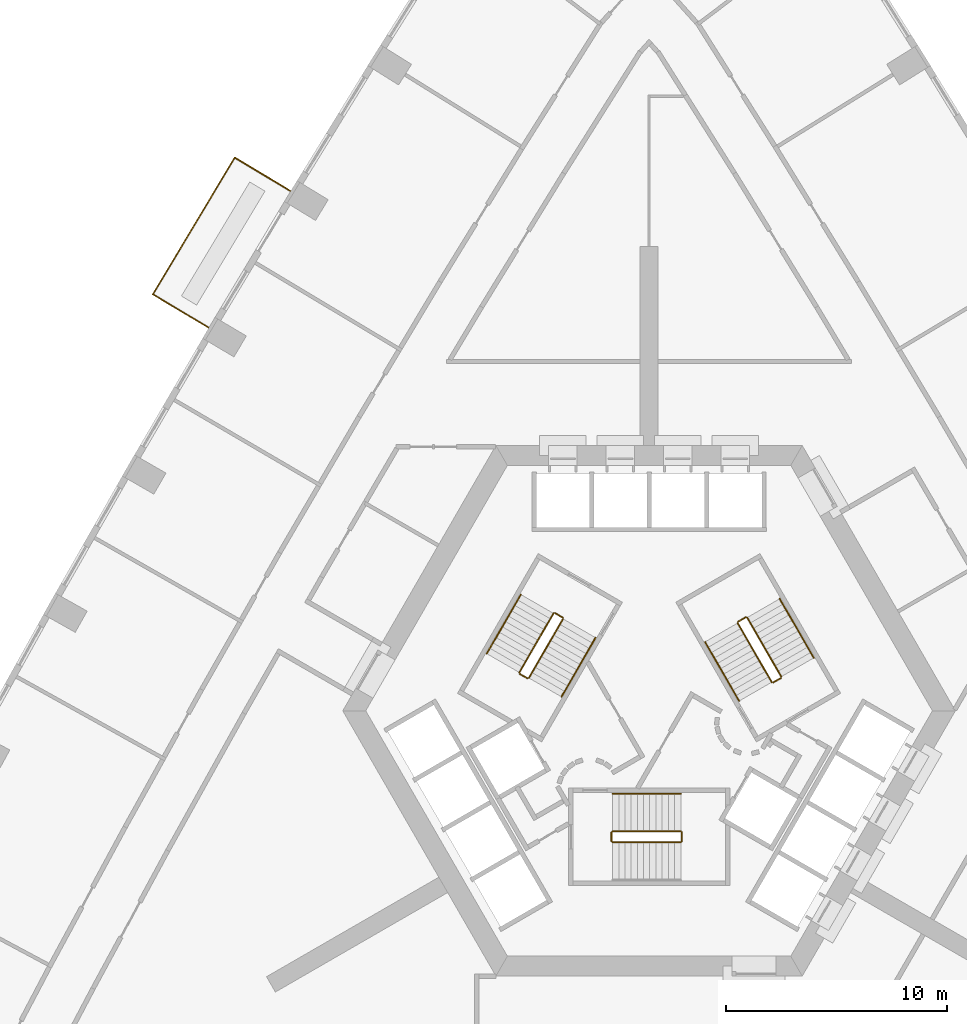
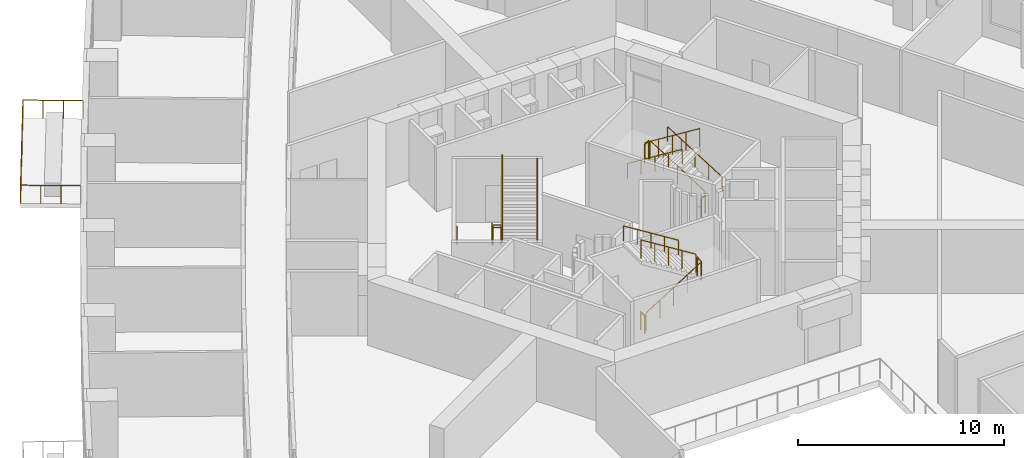
# One storey, part 14 of 15: 18 railings.
"""IFC4 building model written with IfcOpenShell, lengths in metres."""

import ifcopenshell
import ifcopenshell.guid

model = None  # the IFC model being written
_history = None  # IfcOwnerHistory: only IFC2X3 demands one
_inside = {}  # id of a spatial element -> (the spatial element, [elements in it])
_under = {}  # id of a project, library or spatial element -> (it, [spatial elements below it])
_declared = {}  # id of a project -> (the project, [libraries it declares])
_typed = {}  # id of a type object -> (the type object, [elements of that type])
_made_of = {}  # id of a material, layer set ... -> (it, [elements and type objects made of it])


def new_model(schema):
    """Start an empty IFC model of exactly this schema.

    Asked for "IFC4X3", IfcOpenShell would pick the latest addendum, in which some entities
    have other attributes; the version numbers below select the first issue.
    IFC2X3 requires an IfcOwnerHistory on every rooted entity: one is made here for all.
    """
    global model, _history
    if schema == "IFC4X3":
        model = ifcopenshell.file(schema_version=(4, 3, 0, 0))
    else:
        model = ifcopenshell.file(schema=schema)
    _inside.clear()
    _under.clear()
    _declared.clear()
    _typed.clear()
    _made_of.clear()
    _history = None
    if model.schema == "IFC2X3":
        org = make("IfcOrganization", Name="unknown")
        user = make(
            "IfcPersonAndOrganization",
            ThePerson=make("IfcPerson", FamilyName="unknown"),
            TheOrganization=org,
        )
        app = make(
            "IfcApplication",
            ApplicationDeveloper=org,
            Version="unknown",
            ApplicationFullName="unknown",
            ApplicationIdentifier="unknown",
        )
        _history = make(
            "IfcOwnerHistory",
            OwningUser=user,
            OwningApplication=app,
            ChangeAction="ADDED",
            CreationDate=0,
        )
    return model


def make(cls, **values):
    """One entity of the class cls with the attributes given. An attribute that is None is left unset."""
    return model.create_entity(
        cls, **{name: value for name, value in values.items() if value is not None}
    )


def rooted(cls, **values):
    """An entity with a GlobalId (a new one), such as an element, a storey or a relation."""
    return make(cls, GlobalId=ifcopenshell.guid.new(), OwnerHistory=_history, **values)


def si_unit(unit_type, name, prefix=None):
    """IfcSIUnit, for example si_unit("LENGTHUNIT", "METRE", prefix="MILLI")."""
    return make("IfcSIUnit", UnitType=unit_type, Prefix=prefix, Name=name)


def assignment(units):
    """IfcUnitAssignment: the units of a project."""
    return None if units is None else make("IfcUnitAssignment", Units=units)


def point(xyz):
    """IfcCartesianPoint."""
    return None if xyz is None else make("IfcCartesianPoint", Coordinates=xyz)


def direction(xyz):
    """IfcDirection."""
    return None if xyz is None else make("IfcDirection", DirectionRatios=xyz)


def frame(location, z_axis=None, x_axis=None):
    """IfcAxis2Placement3D, a coordinate frame: its origin and axes. An axis left out is left unset."""
    return make(
        "IfcAxis2Placement3D",
        Location=point(location),
        Axis=direction(z_axis),
        RefDirection=direction(x_axis),
    )


def frame_2d(location, x_axis=None):
    """IfcAxis2Placement2D, a coordinate frame in the plane: its origin and x axis."""
    return make(
        "IfcAxis2Placement2D", Location=point(location), RefDirection=direction(x_axis)
    )


def origin():
    """The frame at (0, 0, 0) with its axes left unset."""
    return frame((0.0, 0.0, 0.0))


def origin_2d():
    """The frame at (0, 0) in the plane with its x axis left unset."""
    return frame_2d((0.0, 0.0))


def place(relative_to, where):
    """IfcLocalPlacement: puts the frame where relative to a parent placement (None: the world)."""
    return make(
        "IfcLocalPlacement", PlacementRelTo=relative_to, RelativePlacement=where
    )


def context(
    kind, dimensions, precision=None, world=None, true_north=None, identifier=None
):
    """IfcGeometricRepresentationContext, for example the 3D "Model" context."""
    return make(
        "IfcGeometricRepresentationContext",
        ContextIdentifier=identifier,
        ContextType=kind,
        CoordinateSpaceDimension=dimensions,
        Precision=precision,
        WorldCoordinateSystem=world,
        TrueNorth=true_north,
    )


def subcontext(parent, identifier, kind, view, scale=None):
    """IfcGeometricRepresentationSubContext, for example "Body" below "Model"."""
    return make(
        "IfcGeometricRepresentationSubContext",
        ContextIdentifier=identifier,
        ContextType=kind,
        ParentContext=parent,
        TargetScale=scale,
        TargetView=view,
    )


def project(units=None, contexts=None):
    """IfcProject with its units and contexts."""
    return rooted(
        "IfcProject",
        Name="project",
        RepresentationContexts=contexts,
        UnitsInContext=assignment(units),
    )


def spatial(cls, under=None, at=None, **own):
    """A site, building, storey or space (cls), placed at a placement, below another one or the project."""
    s = rooted(cls, ObjectPlacement=at, **own)
    if under is not None:
        _under.setdefault(under.id(), (under, []))[1].append(s)
    return s


def profile(cls, at=None, kind="AREA", **sizes):
    """A parametric profile (cls). Its sizes go by their IFC names, for example OverallWidth=200.0."""
    return make(cls, ProfileType=kind, Position=at, **sizes)


def circle(**sizes):
    """IfcCircleProfileDef."""
    return profile("IfcCircleProfileDef", **sizes)


def extrude(swept, where, along, depth):
    """IfcExtrudedAreaSolid: the profile swept, set in the frame where, extruded along a direction by depth."""
    return make(
        "IfcExtrudedAreaSolid",
        SweptArea=swept,
        Position=where,
        ExtrudedDirection=direction(along),
        Depth=depth,
    )


def shape(context_of_items, identifier, shape_type, items):
    """IfcShapeRepresentation: the items that make up one representation, for example the "Body"."""
    return make(
        "IfcShapeRepresentation",
        ContextOfItems=context_of_items,
        RepresentationIdentifier=identifier,
        RepresentationType=shape_type,
        Items=items,
    )


def material(Name=None, Category=None):
    """IfcMaterial."""
    return make("IfcMaterial", Name=Name, Category=Category)


def made_of(thing, what):
    """Note that an element or type object is made of a material, layer set ...; save() writes the relation."""
    if what is not None:
        _made_of.setdefault(what.id(), (what, []))[1].append(thing)
    return thing


def type_object(cls, material=None, **own):
    """A type object (cls), such as IfcWallType, which elements share."""
    return made_of(rooted(cls, **own), material)


def element(
    cls,
    number,
    at=None,
    inside=None,
    cuts=None,
    type_object=None,
    material=None,
    context=None,
    identifier="Body",
    shape_type=None,
    held_by="IfcProductDefinitionShape",
    body=None,
    shapes=None,
    **own,
):
    """One element of the class cls, such as IfcWall. Its Tag is "e" and its number.

    at: its placement. inside: the storey or other place that contains it. cuts: it is an
    opening in that element (IfcRelVoidsElement). A single representation is given by context,
    identifier, shape_type and body (its items); several are given by shapes. held_by: the class
    of the entity that holds the representations. save() writes the other relations.
    """
    e = rooted(cls, Tag="e%d" % number, ObjectPlacement=at, **own)
    if body is not None:
        shapes = [shape(context, identifier, shape_type, body)]
    if shapes is not None:
        e.Representation = make(held_by, Representations=shapes)
    if inside is not None:
        _inside.setdefault(inside.id(), (inside, []))[1].append(e)
    if cuts is not None:
        rooted(
            "IfcRelVoidsElement", RelatingBuildingElement=cuts, RelatedOpeningElement=e
        )
    if type_object is not None:
        _typed.setdefault(type_object.id(), (type_object, []))[1].append(e)
    return made_of(e, material)


def aggregate(whole, parts):
    """IfcRelAggregates: a whole, such as a stair, and the parts it consists of."""
    return rooted("IfcRelAggregates", RelatingObject=whole, RelatedObjects=parts)


def save(model, path):
    """Write the relations noted so far, then the file.

    IfcRelAggregates (storeys below a building ...), IfcRelContainedInSpatialStructure (elements
    in a storey), IfcRelDefinesByType, IfcRelAssociatesMaterial and IfcRelDeclares: one each for
    every whole, place, type object, material and project.
    """
    for whole, parts in _under.values():
        aggregate(whole, parts)
    for where, things in _inside.values():
        rooted(
            "IfcRelContainedInSpatialStructure",
            RelatedElements=things,
            RelatingStructure=where,
        )
    for kind, things in _typed.values():
        rooted("IfcRelDefinesByType", RelatedObjects=things, RelatingType=kind)
    for what, things in _made_of.values():
        rooted("IfcRelAssociatesMaterial", RelatedObjects=things, RelatingMaterial=what)
    for by, libraries in _declared.values():
        rooted("IfcRelDeclares", RelatingContext=by, RelatedDefinitions=libraries)
    model.write(path)


model = new_model("IFC4")

# Units and contexts
model_context = context("Model", 3, precision=1e-05, world=origin(), true_north=direction((0.0, 1.0)))
body_context = subcontext(model_context, "Body", "Model", "MODEL_VIEW")
ifc_project = project(units=[si_unit("LENGTHUNIT", "METRE"), si_unit("AREAUNIT", "SQUARE_METRE"), si_unit("VOLUMEUNIT", "CUBIC_METRE"), si_unit("PLANEANGLEUNIT", "RADIAN"), si_unit("MASSUNIT", "GRAM", prefix="KILO")], contexts=[model_context])

# Site, building, storey
site_placement = place(None, origin())
site = spatial("IfcSite", under=ifc_project, at=site_placement, CompositionType="ELEMENT")
building_placement = place(site_placement, origin())
building = spatial("IfcBuilding", under=site, at=building_placement, Name="Entoto Arch Interchange Tower", CompositionType="ELEMENT")
storey_placement = place(building_placement, frame((0.0, 0.0, 120.199951171875)))
storey = spatial("IfcBuildingStorey", under=building, at=storey_placement, Name="L26", CompositionType="ELEMENT", Elevation=120.199951171875)

# Railings
ifc_material = material(Name="Stainless steel 1.4301", Category="steel")
railing_type_1 = type_object("IfcRailingType", Name="GUARD 1100 STEEL AND GLASS", PredefinedType="GUARDRAIL", material=ifc_material)
railing_1_placement = place(storey_placement, frame((-16.2109375, 26.007080078125, 0.0)))
element("IfcRailing", 1, at=railing_1_placement, inside=storey, type_object=railing_type_1, Name="Balcony guard NW-03 L26", PredefinedType="GUARDRAIL", context=body_context, shape_type="SweptSolid", body=[
    extrude(circle(Radius=0.02392578125, at=origin_2d()), frame((0.0, 0.0, 1.076171875), z_axis=(-0.857814126492, 0.513960041628, 0.0), x_axis=(-0.513960041628, -0.857814126492, 0.0)), (0.0, 0.0, 1.0), 2.949462890625),
    extrude(circle(Radius=0.02392578125, at=origin_2d()), frame((-2.530029296875, 1.515869140625, 1.076171875), z_axis=(-0.514062423934, -0.857752775746, 0.0), x_axis=(0.857752775746, -0.514062423934, 0.0)), (0.0, 0.0, 1.0), 7.209228515625),
    extrude(circle(Radius=0.02392578125, at=origin_2d()), frame((-6.236083984375, -4.66796875, 1.076171875), z_axis=(0.857777631145, -0.51402094851, 0.0), x_axis=(0.51402094851, 0.857777631145, 0.0)), (0.0, 0.0, 1.0), 2.949462890625),
    extrude(circle(Radius=0.02099609375, at=origin_2d()), origin(), (0.0, 0.0, 1.0), 1.052001953125),
    extrude(circle(Radius=0.02099609375, at=origin_2d()), frame((-0.84326171875, 0.50537109375, 0.0)), (0.0, 0.0, 1.0), 1.052001953125),
    extrude(circle(Radius=0.02099609375, at=origin_2d()), frame((-1.686767578125, 1.010498046875, 0.0)), (0.0, 0.0, 1.0), 1.052001953125),
    extrude(circle(Radius=0.02099609375, at=origin_2d()), frame((-2.530029296875, 1.515869140625, 0.0)), (0.0, 0.0, 1.0), 1.052001953125),
    extrude(circle(Radius=0.02099609375, at=origin_2d()), frame((-3.0595703125, 0.632568359375, 0.0)), (0.0, 0.0, 1.0), 1.052001953125),
    extrude(circle(Radius=0.02099609375, at=origin_2d()), frame((-3.5888671875, -0.2509765625, 0.0)), (0.0, 0.0, 1.0), 1.052001953125),
    extrude(circle(Radius=0.02099609375, at=origin_2d()), frame((-4.118408203125, -1.13427734375, 0.0)), (0.0, 0.0, 1.0), 1.052001953125),
    extrude(circle(Radius=0.02099609375, at=origin_2d()), frame((-4.647705078125, -2.017822265625, 0.0)), (0.0, 0.0, 1.0), 1.052001953125),
    extrude(circle(Radius=0.02099609375, at=origin_2d()), frame((-5.17724609375, -2.901123046875, 0.0)), (0.0, 0.0, 1.0), 1.052001953125),
    extrude(circle(Radius=0.02099609375, at=origin_2d()), frame((-5.70654296875, -3.78466796875, 0.0)), (0.0, 0.0, 1.0), 1.052001953125),
    extrude(circle(Radius=0.02099609375, at=origin_2d()), frame((-6.236083984375, -4.66796875, 0.0)), (0.0, 0.0, 1.0), 1.052001953125),
    extrude(circle(Radius=0.02099609375, at=origin_2d()), frame((-5.392822265625, -5.17333984375, 0.0)), (0.0, 0.0, 1.0), 1.052001953125),
    extrude(circle(Radius=0.02099609375, at=origin_2d()), frame((-4.54931640625, -5.6787109375, 0.0)), (0.0, 0.0, 1.0), 1.052001953125),
    extrude(circle(Radius=0.02099609375, at=origin_2d()), frame((-3.7060546875, -6.18408203125, 0.0)), (0.0, 0.0, 1.0), 1.052001953125),
])
railing_type_2 = type_object("IfcRailingType", Name="STAIR GUARD 1100 STEEL", PredefinedType="GUARDRAIL", material=ifc_material)
railing_2_placement = place(storey_placement, frame((-1.64990234375, -3.449951171875, 0.175048828125)))
element("IfcRailing", 2, at=railing_2_placement, inside=storey, type_object=railing_type_2, Name="L26 ST-S stair guard 1", PredefinedType="GUARDRAIL", context=body_context, shape_type="SweptSolid", body=[
    extrude(circle(Radius=0.02392578125, at=origin_2d()), frame((0.0, 0.0, 1.076171875), z_axis=(0.847979421464, 0.0, 0.530029150871), x_axis=(0.0, 1.0, 0.0)), (0.0, 0.0, 1.0), 3.632080078125),
    extrude(circle(Radius=0.02099609375, at=origin_2d()), origin(), (0.0, 0.0, 1.0), 1.052001953125),
    extrude(circle(Radius=0.02099609375, at=origin_2d()), frame((0.77001953125, 0.0, 0.481201171875)), (0.0, 0.0, 1.0), 1.052001953125),
    extrude(circle(Radius=0.02099609375, at=origin_2d()), frame((1.5400390625, 0.0, 0.96240234375)), (0.0, 0.0, 1.0), 1.052001953125),
    extrude(circle(Radius=0.02099609375, at=origin_2d()), frame((2.309814453125, 0.0, 1.44384765625)), (0.0, 0.0, 1.0), 1.052001953125),
    extrude(circle(Radius=0.02099609375, at=origin_2d()), frame((3.079833984375, 0.0, 1.925048828125)), (0.0, 0.0, 1.0), 1.052001953125),
])
railing_3_placement = place(storey_placement, frame((1.47998046875, -3.39990234375, 2.10009765625)))
element("IfcRailing", 3, at=railing_3_placement, inside=storey, type_object=railing_type_2, Name="L26 ST-S stair guard 2", PredefinedType="GUARDRAIL", context=body_context, shape_type="SweptSolid", body=[
    extrude(circle(Radius=0.02392578125, at=origin_2d()), frame((0.0, 0.0, 1.076171875), z_axis=(0.0, 1.0, 0.0), x_axis=(-1.0, 0.0, 0.0)), (0.0, 0.0, 1.0), 0.39990234375),
    extrude(circle(Radius=0.02099609375, at=origin_2d()), origin(), (0.0, 0.0, 1.0), 1.052001953125),
    extrude(circle(Radius=0.02099609375, at=origin_2d()), frame((0.0, 0.39990234375, 0.0)), (0.0, 0.0, 1.0), 1.052001953125),
])
railing_4_placement = place(storey_placement, frame((1.429931640625, -2.949951171875, 2.275146484375)))
element("IfcRailing", 4, at=railing_4_placement, inside=storey, type_object=railing_type_2, Name="L26 ST-S stair guard 3", PredefinedType="GUARDRAIL", context=body_context, shape_type="SweptSolid", body=[
    extrude(circle(Radius=0.02392578125, at=origin_2d()), frame((0.0, 0.0, 1.076171875), z_axis=(-0.848009633417, 0.0, 0.529980812513), x_axis=(0.0, -1.0, 0.0)), (0.0, 0.0, 1.0), 3.6318359375),
    extrude(circle(Radius=0.02099609375, at=origin_2d()), origin(), (0.0, 0.0, 1.0), 1.052001953125),
    extrude(circle(Radius=0.02099609375, at=origin_2d()), frame((-0.77001953125, 0.0, 0.481201171875)), (0.0, 0.0, 1.0), 1.052001953125),
    extrude(circle(Radius=0.02099609375, at=origin_2d()), frame((-1.5400390625, 0.0, 0.96240234375)), (0.0, 0.0, 1.0), 1.052001953125),
    extrude(circle(Radius=0.02099609375, at=origin_2d()), frame((-2.309814453125, 0.0, 1.443603515625)), (0.0, 0.0, 1.0), 1.052001953125),
    extrude(circle(Radius=0.02099609375, at=origin_2d()), frame((-3.079833984375, 0.0, 1.9248046875)), (0.0, 0.0, 1.0), 1.052001953125),
])
railing_5_placement = place(storey_placement, frame((-1.699951171875, -3.39990234375, 0.0)))
element("IfcRailing", 5, at=railing_5_placement, inside=storey, type_object=railing_type_2, Name="L26 ST-S stair guard 4", PredefinedType="GUARDRAIL", context=body_context, shape_type="SweptSolid", body=[
    extrude(circle(Radius=0.02392578125, at=origin_2d()), frame((0.0, 0.0, 1.076171875), z_axis=(0.0, 1.0, 0.0), x_axis=(-1.0, 0.0, 0.0)), (0.0, 0.0, 1.0), 0.39990234375),
    extrude(circle(Radius=0.02099609375, at=origin_2d()), origin(), (0.0, 0.0, 1.0), 1.052001953125),
    extrude(circle(Radius=0.02099609375, at=origin_2d()), frame((0.0, 0.39990234375, 0.0)), (0.0, 0.0, 1.0), 1.052001953125),
])
railing_6_placement = place(storey_placement, frame((5.977783203125, 4.046142578125, 0.175048828125)))
element("IfcRailing", 6, at=railing_6_placement, inside=storey, type_object=railing_type_2, Name="L26 ST-NE stair guard 1", PredefinedType="GUARDRAIL", context=body_context, shape_type="SweptSolid", body=[
    extrude(circle(Radius=0.02392578125, at=origin_2d()), frame((0.0, 0.0, 1.076171875), z_axis=(-0.424015404183, 0.734364028329, 0.530019255228), x_axis=(-0.866010015463, -0.500026652407, 0.0)), (0.0, 0.0, 1.0), 3.632080078125),
    extrude(circle(Radius=0.02099609375, at=origin_2d()), origin(), (0.0, 0.0, 1.0), 1.052001953125),
    extrude(circle(Radius=0.02099609375, at=origin_2d()), frame((-0.385009765625, 0.666748046875, 0.481201171875)), (0.0, 0.0, 1.0), 1.052001953125),
    extrude(circle(Radius=0.02099609375, at=origin_2d()), frame((-0.77001953125, 1.33349609375, 0.96240234375)), (0.0, 0.0, 1.0), 1.052001953125),
    extrude(circle(Radius=0.02099609375, at=origin_2d()), frame((-1.155029296875, 2.00048828125, 1.44384765625)), (0.0, 0.0, 1.0), 1.052001953125),
    extrude(circle(Radius=0.02099609375, at=origin_2d()), frame((-1.5400390625, 2.667236328125, 1.925048828125)), (0.0, 0.0, 1.0), 1.052001953125),
])
railing_7_placement = place(storey_placement, frame((4.36962890625, 6.731689453125, 2.10009765625)))
element("IfcRailing", 7, at=railing_7_placement, inside=storey, type_object=railing_type_2, Name="L26 ST-NE stair guard 2", PredefinedType="GUARDRAIL", context=body_context, shape_type="SweptSolid", body=[
    extrude(circle(Radius=0.02392578125, at=origin_2d()), frame((0.0, 0.0, 1.076171875), z_axis=(-0.866094119867, -0.499880961361, 0.0), x_axis=(0.499880961361, -0.866094119867, 0.0)), (0.0, 0.0, 1.0), 0.39990234375),
    extrude(circle(Radius=0.02099609375, at=origin_2d()), origin(), (0.0, 0.0, 1.0), 1.052001953125),
    extrude(circle(Radius=0.02099609375, at=origin_2d()), frame((-0.346435546875, -0.199951171875, 0.0)), (0.0, 0.0, 1.0), 1.052001953125),
])
railing_8_placement = place(storey_placement, frame((4.0048828125, 6.46337890625, 2.275146484375)))
element("IfcRailing", 8, at=railing_8_placement, inside=storey, type_object=railing_type_2, Name="L26 ST-NE stair guard 3", PredefinedType="GUARDRAIL", context=body_context, shape_type="SweptSolid", body=[
    extrude(circle(Radius=0.02392578125, at=origin_2d()), frame((0.0, 0.0, 1.076171875), z_axis=(0.42403051051, -0.734390191396, 0.529970917068), x_axis=(0.866010015463, 0.500026652407, 0.0)), (0.0, 0.0, 1.0), 3.6318359375),
    extrude(circle(Radius=0.02099609375, at=origin_2d()), origin(), (0.0, 0.0, 1.0), 1.052001953125),
    extrude(circle(Radius=0.02099609375, at=origin_2d()), frame((0.385009765625, -0.666748046875, 0.481201171875)), (0.0, 0.0, 1.0), 1.052001953125),
    extrude(circle(Radius=0.02099609375, at=origin_2d()), frame((0.77001953125, -1.33349609375, 0.96240234375)), (0.0, 0.0, 1.0), 1.052001953125),
    extrude(circle(Radius=0.02099609375, at=origin_2d()), frame((1.155029296875, -2.00048828125, 1.443603515625)), (0.0, 0.0, 1.0), 1.052001953125),
    extrude(circle(Radius=0.02099609375, at=origin_2d()), frame((1.5400390625, -2.667236328125, 1.9248046875)), (0.0, 0.0, 1.0), 1.052001953125),
])
railing_9_placement = place(storey_placement, frame((5.95947265625, 3.977783203125, 0.0)))
element("IfcRailing", 9, at=railing_9_placement, inside=storey, type_object=railing_type_2, Name="L26 ST-NE stair guard 4", PredefinedType="GUARDRAIL", context=body_context, shape_type="SweptSolid", body=[
    extrude(circle(Radius=0.02392578125, at=origin_2d()), frame((0.0, 0.0, 1.076171875), z_axis=(-0.866094119867, -0.499880961361, 0.0), x_axis=(0.499880961361, -0.866094119867, 0.0)), (0.0, 0.0, 1.0), 0.39990234375),
    extrude(circle(Radius=0.02099609375, at=origin_2d()), origin(), (0.0, 0.0, 1.0), 1.052001953125),
    extrude(circle(Radius=0.02099609375, at=origin_2d()), frame((-0.346435546875, -0.199951171875, 0.0)), (0.0, 0.0, 1.0), 1.052001953125),
])
railing_10_placement = place(storey_placement, frame((-4.327880859375, 6.904052734375, 0.175048828125)))
element("IfcRailing", 10, at=railing_10_placement, inside=storey, type_object=railing_type_2, Name="L26 ST-NW stair guard 1", PredefinedType="GUARDRAIL", context=body_context, shape_type="SweptSolid", body=[
    extrude(circle(Radius=0.02392578125, at=origin_2d()), frame((0.0, 0.0, 1.076171875), z_axis=(-0.423994474112, -0.734394994316, 0.52999309264), x_axis=(0.866029832698, -0.499992328818, 0.0)), (0.0, 0.0, 1.0), 3.63232421875),
    extrude(circle(Radius=0.02099609375, at=origin_2d()), origin(), (0.0, 0.0, 1.0), 1.052001953125),
    extrude(circle(Radius=0.02099609375, at=origin_2d()), frame((-0.385009765625, -0.6669921875, 0.481201171875)), (0.0, 0.0, 1.0), 1.052001953125),
    extrude(circle(Radius=0.02099609375, at=origin_2d()), frame((-0.77001953125, -1.333740234375, 0.96240234375)), (0.0, 0.0, 1.0), 1.052001953125),
    extrude(circle(Radius=0.02099609375, at=origin_2d()), frame((-1.155029296875, -2.00048828125, 1.44384765625)), (0.0, 0.0, 1.0), 1.052001953125),
    extrude(circle(Radius=0.02099609375, at=origin_2d()), frame((-1.5400390625, -2.66748046875, 1.925048828125)), (0.0, 0.0, 1.0), 1.052001953125),
])
railing_11_placement = place(storey_placement, frame((-5.849609375, 4.168212890625, 2.10009765625)))
element("IfcRailing", 11, at=railing_11_placement, inside=storey, type_object=railing_type_2, Name="L26 ST-NW stair guard 2", PredefinedType="GUARDRAIL", context=body_context, shape_type="SweptSolid", body=[
    extrude(circle(Radius=0.02392578125, at=origin_2d()), frame((0.0, 0.0, 1.076171875), z_axis=(0.866094119867, -0.499880961361, 0.0), x_axis=(0.499880961361, 0.866094119867, 0.0)), (0.0, 0.0, 1.0), 0.39990234375),
    extrude(circle(Radius=0.02099609375, at=origin_2d()), origin(), (0.0, 0.0, 1.0), 1.052001953125),
    extrude(circle(Radius=0.02099609375, at=origin_2d()), frame((0.346435546875, -0.199951171875, 0.0)), (0.0, 0.0, 1.0), 1.052001953125),
])
railing_12_placement = place(storey_placement, frame((-5.434814453125, 3.986572265625, 2.275146484375)))
element("IfcRailing", 12, at=railing_12_placement, inside=storey, type_object=railing_type_2, Name="L26 ST-NW stair guard 3", PredefinedType="GUARDRAIL", context=body_context, shape_type="SweptSolid", body=[
    extrude(circle(Radius=0.02392578125, at=origin_2d()), frame((0.0, 0.0, 1.076171875), z_axis=(0.424009578203, 0.734421155904, 0.529944755001), x_axis=(-0.866029832698, 0.499992328818, 0.0)), (0.0, 0.0, 1.0), 3.632080078125),
    extrude(circle(Radius=0.02099609375, at=origin_2d()), origin(), (0.0, 0.0, 1.0), 1.052001953125),
    extrude(circle(Radius=0.02099609375, at=origin_2d()), frame((0.385009765625, 0.6669921875, 0.481201171875)), (0.0, 0.0, 1.0), 1.052001953125),
    extrude(circle(Radius=0.02099609375, at=origin_2d()), frame((0.77001953125, 1.333740234375, 0.96240234375)), (0.0, 0.0, 1.0), 1.052001953125),
    extrude(circle(Radius=0.02099609375, at=origin_2d()), frame((1.155029296875, 2.00048828125, 1.443603515625)), (0.0, 0.0, 1.0), 1.052001953125),
    extrude(circle(Radius=0.02099609375, at=origin_2d()), frame((1.5400390625, 2.66748046875, 1.9248046875)), (0.0, 0.0, 1.0), 1.052001953125),
])
railing_13_placement = place(storey_placement, frame((-4.259521484375, 6.92236328125, 0.0)))
element("IfcRailing", 13, at=railing_13_placement, inside=storey, type_object=railing_type_2, Name="L26 ST-NW stair guard 4", PredefinedType="GUARDRAIL", context=body_context, shape_type="SweptSolid", body=[
    extrude(circle(Radius=0.02392578125, at=origin_2d()), frame((0.0, 0.0, 1.076171875), z_axis=(0.865829829939, -0.500338590944, 0.0), x_axis=(0.500338590944, 0.865829829939, 0.0)), (0.0, 0.0, 1.0), 0.400146484375),
    extrude(circle(Radius=0.02099609375, at=origin_2d()), origin(), (0.0, 0.0, 1.0), 1.052001953125),
    extrude(circle(Radius=0.02099609375, at=origin_2d()), frame((0.346435546875, -0.2001953125, 0.0)), (0.0, 0.0, 1.0), 1.052001953125),
])
railing_type_3 = type_object("IfcRailingType", Name="STAIR HANDRAIL 900 STEEL", PredefinedType="HANDRAIL", material=ifc_material)
railing_14_placement = place(storey_placement, frame((1.429931640625, -1.25, 2.275146484375)))
element("IfcRailing", 14, at=railing_14_placement, inside=storey, type_object=railing_type_3, Name="L26 ST-S stair handrail 2", PredefinedType="HANDRAIL", context=body_context, shape_type="SweptSolid", body=[
    extrude(circle(Radius=0.02392578125, at=origin_2d()), frame((0.0, 0.0, 0.8759765625), z_axis=(-0.848009633417, 0.0, 0.529980812513), x_axis=(0.0, -1.0, 0.0)), (0.0, 0.0, 1.0), 3.6318359375),
    extrude(circle(Radius=0.02099609375, at=origin_2d()), origin(), (0.0, 0.0, 1.0), 0.851806640625),
    extrude(circle(Radius=0.02099609375, at=origin_2d()), frame((-0.77001953125, 0.0, 0.481201171875)), (0.0, 0.0, 1.0), 0.851806640625),
    extrude(circle(Radius=0.02099609375, at=origin_2d()), frame((-1.5400390625, 0.0, 0.96240234375)), (0.0, 0.0, 1.0), 0.851806640625),
    extrude(circle(Radius=0.02099609375, at=origin_2d()), frame((-2.309814453125, 0.0, 1.443603515625)), (0.0, 0.0, 1.0), 0.851806640625),
    extrude(circle(Radius=0.02099609375, at=origin_2d()), frame((-3.079833984375, 0.0, 1.9248046875)), (0.0, 0.0, 1.0), 0.851806640625),
])
railing_15_placement = place(storey_placement, frame((7.4501953125, 4.89599609375, 0.175048828125)))
element("IfcRailing", 15, at=railing_15_placement, inside=storey, type_object=railing_type_3, Name="L26 ST-NE stair handrail 1", PredefinedType="HANDRAIL", context=body_context, shape_type="SweptSolid", body=[
    extrude(circle(Radius=0.02392578125, at=origin_2d()), frame((0.0, 0.0, 0.8759765625), z_axis=(-0.423994474112, 0.734394994316, 0.52999309264), x_axis=(-0.866029832698, -0.499992328818, 0.0)), (0.0, 0.0, 1.0), 3.63232421875),
    extrude(circle(Radius=0.02099609375, at=origin_2d()), origin(), (0.0, 0.0, 1.0), 0.851806640625),
    extrude(circle(Radius=0.02099609375, at=origin_2d()), frame((-0.385009765625, 0.6669921875, 0.481201171875)), (0.0, 0.0, 1.0), 0.851806640625),
    extrude(circle(Radius=0.02099609375, at=origin_2d()), frame((-0.77001953125, 1.333740234375, 0.96240234375)), (0.0, 0.0, 1.0), 0.851806640625),
    extrude(circle(Radius=0.02099609375, at=origin_2d()), frame((-1.155029296875, 2.00048828125, 1.44384765625)), (0.0, 0.0, 1.0), 0.851806640625),
    extrude(circle(Radius=0.02099609375, at=origin_2d()), frame((-1.5400390625, 2.66748046875, 1.925048828125)), (0.0, 0.0, 1.0), 0.851806640625),
])
railing_16_placement = place(storey_placement, frame((2.53271484375, 5.613525390625, 2.275146484375)))
element("IfcRailing", 16, at=railing_16_placement, inside=storey, type_object=railing_type_3, Name="L26 ST-NE stair handrail 2", PredefinedType="HANDRAIL", context=body_context, shape_type="SweptSolid", body=[
    extrude(circle(Radius=0.02392578125, at=origin_2d()), frame((0.0, 0.0, 0.8759765625), z_axis=(0.423954442778, -0.734442086855, 0.52995985839), x_axis=(0.866064153644, 0.499932877268, 0.0)), (0.0, 0.0, 1.0), 3.632080078125),
    extrude(circle(Radius=0.02099609375, at=origin_2d()), origin(), (0.0, 0.0, 1.0), 0.851806640625),
    extrude(circle(Radius=0.02099609375, at=origin_2d()), frame((0.385009765625, -0.6669921875, 0.481201171875)), (0.0, 0.0, 1.0), 0.851806640625),
    extrude(circle(Radius=0.02099609375, at=origin_2d()), frame((0.77001953125, -1.333740234375, 0.96240234375)), (0.0, 0.0, 1.0), 0.851806640625),
    extrude(circle(Radius=0.02099609375, at=origin_2d()), frame((1.15478515625, -2.00048828125, 1.443603515625)), (0.0, 0.0, 1.0), 0.851806640625),
    extrude(circle(Radius=0.02099609375, at=origin_2d()), frame((1.539794921875, -2.66748046875, 1.9248046875)), (0.0, 0.0, 1.0), 0.851806640625),
])
railing_17_placement = place(storey_placement, frame((-5.800048828125, 7.75390625, 0.175048828125)))
element("IfcRailing", 17, at=railing_17_placement, inside=storey, type_object=railing_type_3, Name="L26 ST-NW stair handrail 1", PredefinedType="HANDRAIL", context=body_context, shape_type="SweptSolid", body=[
    extrude(circle(Radius=0.02392578125, at=origin_2d()), frame((0.0, 0.0, 0.8759765625), z_axis=(-0.424015404183, -0.734364028329, 0.530019255228), x_axis=(0.866010015463, -0.500026652407, 0.0)), (0.0, 0.0, 1.0), 3.632080078125),
    extrude(circle(Radius=0.02099609375, at=origin_2d()), origin(), (0.0, 0.0, 1.0), 0.851806640625),
    extrude(circle(Radius=0.02099609375, at=origin_2d()), frame((-0.385009765625, -0.666748046875, 0.481201171875)), (0.0, 0.0, 1.0), 0.851806640625),
    extrude(circle(Radius=0.02099609375, at=origin_2d()), frame((-0.77001953125, -1.33349609375, 0.96240234375)), (0.0, 0.0, 1.0), 0.851806640625),
    extrude(circle(Radius=0.02099609375, at=origin_2d()), frame((-1.155029296875, -2.00048828125, 1.44384765625)), (0.0, 0.0, 1.0), 0.851806640625),
    extrude(circle(Radius=0.02099609375, at=origin_2d()), frame((-1.5400390625, -2.667236328125, 1.925048828125)), (0.0, 0.0, 1.0), 0.851806640625),
])
railing_18_placement = place(storey_placement, frame((-3.962646484375, 3.136474609375, 2.275146484375)))
element("IfcRailing", 18, at=railing_18_placement, inside=storey, type_object=railing_type_3, Name="L26 ST-NW stair handrail 2", PredefinedType="HANDRAIL", context=body_context, shape_type="SweptSolid", body=[
    extrude(circle(Radius=0.02392578125, at=origin_2d()), frame((0.0, 0.0, 0.8759765625), z_axis=(0.424009578203, 0.734421155904, 0.529944755001), x_axis=(-0.866029832698, 0.499992328818, 0.0)), (0.0, 0.0, 1.0), 3.632080078125),
    extrude(circle(Radius=0.02099609375, at=origin_2d()), origin(), (0.0, 0.0, 1.0), 0.851806640625),
    extrude(circle(Radius=0.02099609375, at=origin_2d()), frame((0.385009765625, 0.6669921875, 0.481201171875)), (0.0, 0.0, 1.0), 0.851806640625),
    extrude(circle(Radius=0.02099609375, at=origin_2d()), frame((0.77001953125, 1.333740234375, 0.96240234375)), (0.0, 0.0, 1.0), 0.851806640625),
    extrude(circle(Radius=0.02099609375, at=origin_2d()), frame((1.155029296875, 2.00048828125, 1.443603515625)), (0.0, 0.0, 1.0), 0.851806640625),
    extrude(circle(Radius=0.02099609375, at=origin_2d()), frame((1.5400390625, 2.66748046875, 1.9248046875)), (0.0, 0.0, 1.0), 0.851806640625),
])

save(model, "model.ifc")
